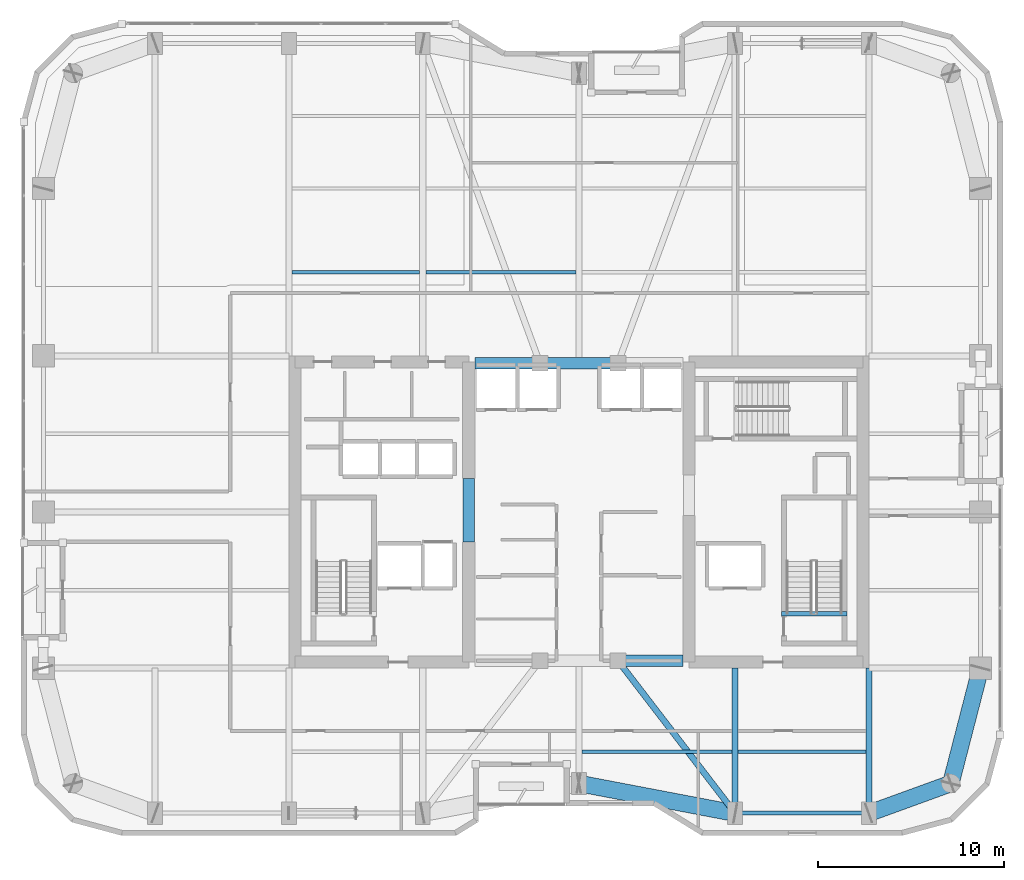
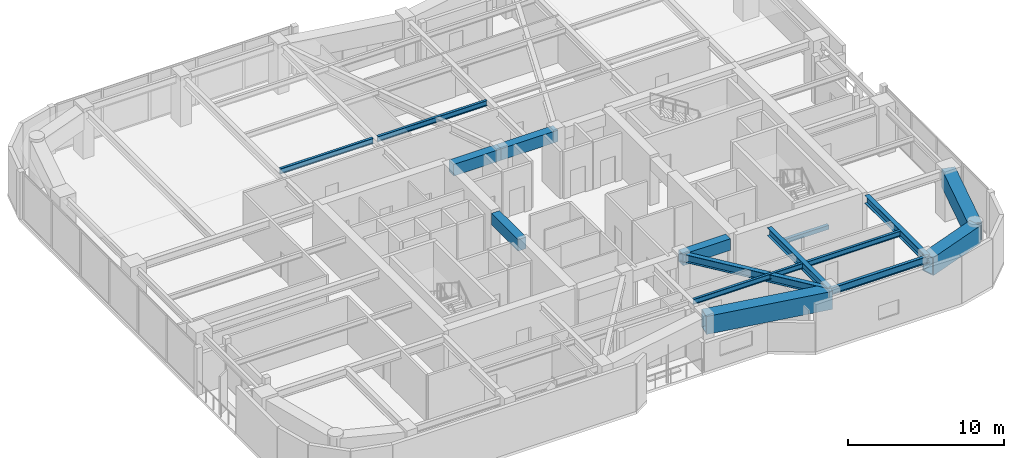
# One storey, part 8 of 30: 16 beams.
"""IFC4 building model written with IfcOpenShell, lengths in metres."""

from ifc_helpers import new_model, si_unit, direction, frame, origin, origin_2d, place, context, subcontext, project, spatial, rectangle, hollow_rectangle, i_section, extrude, material, material_profile, profile_set, type_object, element, save


model = new_model("IFC4")

# Units and contexts
model_context = context("Model", 3, precision=1e-05, world=origin(), true_north=direction((0.0, 1.0)))
body_context = subcontext(model_context, "Body", "Model", "MODEL_VIEW")
ifc_project = project(units=[si_unit("LENGTHUNIT", "METRE"), si_unit("AREAUNIT", "SQUARE_METRE"), si_unit("VOLUMEUNIT", "CUBIC_METRE"), si_unit("PLANEANGLEUNIT", "RADIAN"), si_unit("MASSUNIT", "GRAM", prefix="KILO")], contexts=[model_context])

# Site, building, storey
site_placement = place(None, origin())
site = spatial("IfcSite", under=ifc_project, at=site_placement, CompositionType="ELEMENT")
building_placement = place(site_placement, origin())
building = spatial("IfcBuilding", under=site, at=building_placement, Name="Kiyonajd Concourse Tower", CompositionType="ELEMENT")
storey_placement = place(building_placement, frame((0.0, 0.0, 198.0)))
storey = spatial("IfcBuildingStorey", under=building, at=storey_placement, Name="L50", CompositionType="ELEMENT", Elevation=198.0)

# Beams
ifc_material_1 = material(Name="Concrete C60/75", Category="concrete")
ifc_material_profile_1 = material_profile(ifc_material_1, rectangle(XDim=0.60009765625, YDim=0.89990234375, at=origin_2d()), Name="RCBM-600x900")
ifc_profile_set_1 = profile_set([ifc_material_profile_1], Name="Concrete C60/75")
beam_type_1 = type_object("IfcBeamType", Name="BM-COUP-900", PredefinedType="LINTEL", material=ifc_profile_set_1)
for number, where, z_axis, x_axis, name in (
    (1, (50.10009765625, 28.0, 3.22998046875), (1.0, 0.0, 0.0), (0.0, 1.0, 0.0), "L50 Core Coupling Beam S3"),
    (2, (42.39990234375, 44.0, 3.22998046875), (1.0, 0.0, 0.0), (0.0, 1.0, 0.0), "L50 Core Coupling Beam N1"),
):
    element("IfcBeam", number, at=place(storey_placement, frame(where, z_axis=z_axis, x_axis=x_axis)), inside=storey, type_object=beam_type_1, Name=name, PredefinedType="LINTEL", context=body_context, shape_type="SweptSolid", body=[
        extrude(rectangle(XDim=0.60009765625, YDim=0.89990234375, at=origin_2d()), origin(), (0.0, 0.0, 1.0), 3.5),
    ])
beam_1_placement = place(storey_placement, frame((45.89990234375, 44.0, 3.22998046875), z_axis=(1.0, 0.0, 0.0), x_axis=(0.0, 1.0, 0.0)))
element("IfcBeam", 3, at=beam_1_placement, inside=storey, type_object=beam_type_1, Name="L50 Core Coupling Beam N2", PredefinedType="LINTEL", context=body_context, shape_type="SweptSolid", body=[
    extrude(rectangle(XDim=0.60009765625, YDim=0.89990234375, at=origin_2d()), origin(), (0.0, 0.0, 1.0), 4.2001953125),
])
beam_2_placement = place(storey_placement, frame((42.074951171875, 34.39990234375, 3.22998046875), z_axis=(0.0, 1.0, 0.0), x_axis=(-1.0, 0.0, 0.0)))
element("IfcBeam", 4, at=beam_2_placement, inside=storey, type_object=beam_type_1, Name="L50 West Core Throat Coupling Lintel", PredefinedType="LINTEL", context=body_context, shape_type="SweptSolid", body=[
    extrude(rectangle(XDim=0.60009765625, YDim=0.89990234375, at=origin_2d()), origin(), (0.0, 0.0, 1.0), 3.400146484375),
])
ifc_material_2 = material(Name="Steel ASTM A992 Grade 50", Category="steel")
ifc_material_profile_2 = material_profile(ifc_material_2, i_section(OverallWidth=0.180908203125, OverallDepth=0.4169921875, WebThickness=0.010986328125, FlangeThickness=0.018310546875, at=origin_2d()), Name="W410X85")
ifc_profile_set_2 = profile_set([ifc_material_profile_2], Name="Steel ASTM A992 Grade 50")
beam_type_2 = type_object("IfcBeamType", Name="BM-JST-410", PredefinedType="JOIST", material=ifc_profile_set_2)
beam_3_placement = place(storey_placement, frame((48.16357421875, 23.10009765625, 3.471435546875), z_axis=(1.0, 0.0, 0.0), x_axis=(0.0, 1.0, 0.0)))
element("IfcBeam", 5, at=beam_3_placement, inside=storey, type_object=beam_type_2, Name="L50 Secondary Floor Joist", PredefinedType="JOIST", context=body_context, shape_type="SweptSolid", body=[
    extrude(i_section(OverallWidth=0.180908203125, OverallDepth=0.4169921875, WebThickness=0.010986328125, FlangeThickness=0.018310546875, at=origin_2d()), origin(), (0.0, 0.0, 1.0), 8.072998046875),
])
for number, where, z_axis, x_axis, name in (
    (6, (56.5634765625, 23.10009765625, 3.471435546875), (1.0, 0.0, 0.0), (0.0, 1.0, 0.0), "L50 Secondary Floor Joist"),
    (7, (32.5634765625, 48.89990234375, 3.471435546875), (1.0, 0.0, 0.0), (0.0, 1.0, 0.0), "L50 Secondary Floor Joist"),
):
    element("IfcBeam", number, at=place(storey_placement, frame(where, z_axis=z_axis, x_axis=x_axis)), inside=storey, type_object=beam_type_2, Name=name, PredefinedType="JOIST", context=body_context, shape_type="SweptSolid", body=[
        extrude(i_section(OverallWidth=0.180908203125, OverallDepth=0.4169921875, WebThickness=0.010986328125, FlangeThickness=0.018310546875, at=origin_2d()), origin(), (0.0, 0.0, 1.0), 6.873046875),
    ])
beam_4_placement = place(storey_placement, frame((39.763427734375, 48.89990234375, 3.471435546875), z_axis=(1.0, 0.0, 0.0), x_axis=(0.0, 1.0, 0.0)))
element("IfcBeam", 8, at=beam_4_placement, inside=storey, type_object=beam_type_2, Name="L50 Secondary Floor Joist", PredefinedType="JOIST", context=body_context, shape_type="SweptSolid", body=[
    extrude(i_section(OverallWidth=0.180908203125, OverallDepth=0.4169921875, WebThickness=0.010986328125, FlangeThickness=0.018310546875, at=origin_2d()), origin(), (0.0, 0.0, 1.0), 8.072998046875),
])
ifc_material_3 = material(Name="Concrete C50/60", Category="concrete")
ifc_material_profile_3 = material_profile(ifc_material_3, rectangle(XDim=0.239990234375, YDim=0.320068359375, at=origin_2d()), Name="RCBM-240x320")
ifc_profile_set_3 = profile_set([ifc_material_profile_3], Name="Concrete C50/60")
beam_type_3 = type_object("IfcBeamType", Name="BM-LNT-250", PredefinedType="LINTEL", material=ifc_profile_set_3)
beam_5_placement = place(storey_placement, frame((58.889892578125, 30.530029296875, -0.159912109375), z_axis=(1.0, 0.0, 0.0), x_axis=(0.0, 1.0, 0.0)))
element("IfcBeam", 9, at=beam_5_placement, inside=storey, type_object=beam_type_3, Name="L50 Stair ST2 Threshold Support Beam", PredefinedType="LINTEL", context=body_context, shape_type="SweptSolid", body=[
    extrude(rectangle(XDim=0.239990234375, YDim=0.320068359375, at=origin_2d()), origin(), (0.0, 0.0, 1.0), 3.52001953125),
])
ifc_material_profile_4 = material_profile(ifc_material_2, i_section(OverallWidth=0.214111328125, OverallDepth=0.549072265625, WebThickness=0.0146484375, FlangeThickness=0.023681640625, at=origin_2d()), Name="W530X138")
ifc_profile_set_4 = profile_set([ifc_material_profile_4], Name="Steel ASTM A992 Grade 50")
beam_type_4 = type_object("IfcBeamType", Name="BM-SPAN-530A", PredefinedType="SPANDREL", material=ifc_profile_set_4)
beam_6_placement = place(storey_placement, frame((56.39990234375, 19.800048828125, 3.405517578125), z_axis=(1.0, 0.0, 0.0), x_axis=(0.0, 1.0, 0.0)))
element("IfcBeam", 10, at=beam_6_placement, inside=storey, type_object=beam_type_4, Name="L50 Perimeter Bundled Tube Spandrel", PredefinedType="SPANDREL", context=body_context, shape_type="SweptSolid", body=[
    extrude(i_section(OverallWidth=0.214111328125, OverallDepth=0.549072265625, WebThickness=0.0146484375, FlangeThickness=0.023681640625, at=origin_2d()), origin(), (0.0, 0.0, 1.0), 7.2001953125),
])
ifc_material_profile_5 = material_profile(ifc_material_2, i_section(OverallWidth=0.326904296875, OverallDepth=0.6220703125, WebThickness=0.015380859375, FlangeThickness=0.0244140625, at=origin_2d()), Name="W610X195")
ifc_profile_set_5 = profile_set([ifc_material_profile_5], Name="Steel ASTM A992 Grade 50")
beam_type_5 = type_object("IfcBeamType", Name="BM-TWR-610A", PredefinedType="BEAM", material=ifc_profile_set_5)
beam_7_placement = place(storey_placement, frame((50.10009765625, 28.0, 3.368896484375), z_axis=(0.609233709922, -0.792990722956, 0.0), x_axis=(0.792990722956, 0.609233709922, 0.0)))
element("IfcBeam", 11, at=beam_7_placement, inside=storey, type_object=beam_type_5, Name="L50 Core Tie Girder", PredefinedType="BEAM", context=body_context, shape_type="SweptSolid", body=[
    extrude(i_section(OverallWidth=0.326904296875, OverallDepth=0.6220703125, WebThickness=0.015380859375, FlangeThickness=0.0244140625, at=origin_2d()), origin(), (0.0, 0.0, 1.0), 10.340576171875),
])
for number, where, z_axis, x_axis, name in (
    (12, (56.39990234375, 19.800048828125, 3.368896484375), (0.0, 1.0, 0.0), (-1.0, 0.0, 0.0), "L50 South Lease Girder"),
    (13, (63.60009765625, 19.800048828125, 3.368896484375), (0.0, 1.0, 0.0), (-1.0, 0.0, 0.0), "L50 South Lease Girder"),
):
    element("IfcBeam", number, at=place(storey_placement, frame(where, z_axis=z_axis, x_axis=x_axis)), inside=storey, type_object=beam_type_5, Name=name, PredefinedType="BEAM", context=body_context, shape_type="SweptSolid", body=[
        extrude(i_section(OverallWidth=0.326904296875, OverallDepth=0.6220703125, WebThickness=0.015380859375, FlangeThickness=0.0244140625, at=origin_2d()), origin(), (0.0, 0.0, 1.0), 7.800048828125),
    ])
ifc_material_4 = material(Name="Steel ASTM A572 Grade 50", Category="steel")
ifc_material_profile_6 = material_profile(ifc_material_4, hollow_rectangle(XDim=0.89990234375, YDim=1.39990234375, WallThickness=0.070068359375, at=origin_2d()), Name="BOX-1400x900x70")
ifc_profile_set_6 = profile_set([ifc_material_profile_6], Name="Steel ASTM A572 Grade 50")
beam_type_6 = type_object("IfcBeamType", Name="BM-XFER-1400", PredefinedType="BEAM", material=ifc_profile_set_6)
beam_8_placement = place(storey_placement, frame((48.0, 21.39990234375, 2.97998046875), z_axis=(0.982341315253, -0.187097675953, 0.0), x_axis=(0.187097675953, 0.982341315253, 0.0)))
element("IfcBeam", 14, at=beam_8_placement, inside=storey, type_object=beam_type_6, Name="L50 Perimeter Bundled Tube Spandrel", PredefinedType="BEAM", context=body_context, shape_type="SweptSolid", body=[
    extrude(hollow_rectangle(XDim=0.89990234375, YDim=1.39990234375, WallThickness=0.070068359375, at=origin_2d()), origin(), (0.0, 0.0, 1.0), 8.55078125),
])
beam_9_placement = place(storey_placement, frame((63.60009765625, 19.800048828125, 2.97998046875), z_axis=(0.939801036019, 0.341722127901, 0.0), x_axis=(-0.341722127901, 0.939801036019, 0.0)))
element("IfcBeam", 15, at=beam_9_placement, inside=storey, type_object=beam_type_6, Name="L50 Perimeter Bundled Tube Spandrel", PredefinedType="BEAM", context=body_context, shape_type="SweptSolid", body=[
    extrude(hollow_rectangle(XDim=0.89990234375, YDim=1.39990234375, WallThickness=0.070068359375, at=origin_2d()), origin(), (0.0, 0.0, 1.0), 4.681640625),
])
beam_10_placement = place(storey_placement, frame((68.0, 21.39990234375, 2.97998046875), z_axis=(0.249884937687, 0.968275538221, 0.0), x_axis=(-0.968275538221, 0.249884937687, 0.0)))
element("IfcBeam", 16, at=beam_10_placement, inside=storey, type_object=beam_type_6, Name="L50 Perimeter Bundled Tube Spandrel", PredefinedType="BEAM", context=body_context, shape_type="SweptSolid", body=[
    extrude(hollow_rectangle(XDim=0.89990234375, YDim=1.39990234375, WallThickness=0.070068359375, at=origin_2d()), origin(), (0.0, 0.0, 1.0), 6.4033203125),
])

save(model, "model.ifc")
